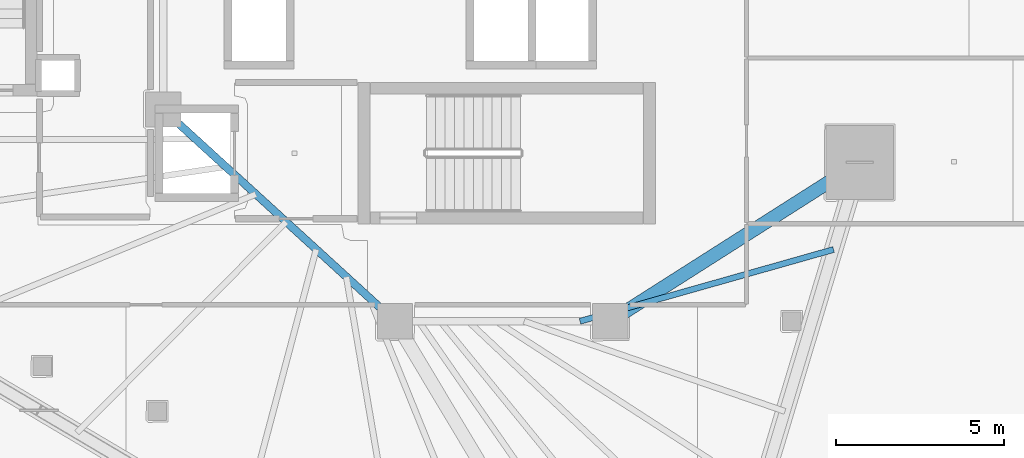
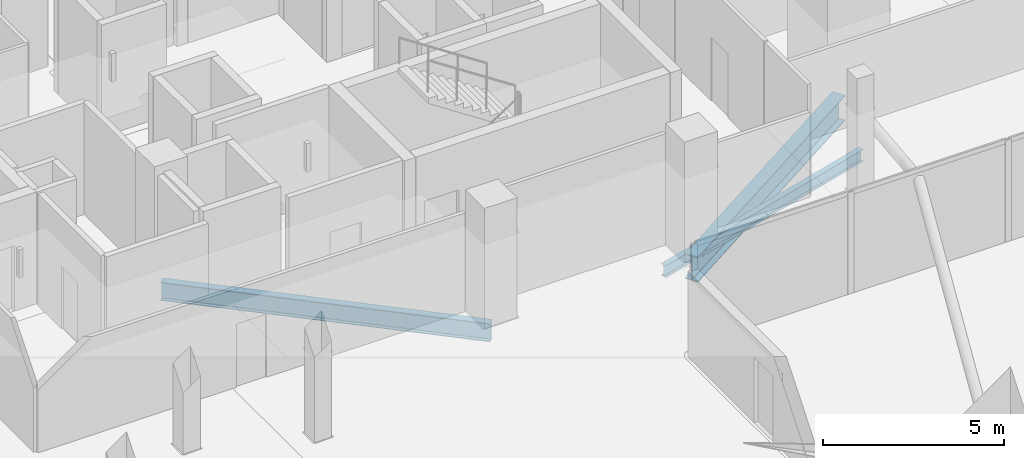
# One storey, part 14 of 43: 3 beams.
"""IFC4 building model written with IfcOpenShell, lengths in metres."""

from ifc_helpers import new_model, si_unit, direction, frame, origin, origin_2d, place, context, subcontext, project, spatial, i_section, extrude, material, material_profile, profile_set, type_object, element, save


model = new_model("IFC4")

# Units and contexts
model_context = context("Model", 3, precision=1e-05, world=origin(), true_north=direction((0.0, 1.0)))
body_context = subcontext(model_context, "Body", "Model", "MODEL_VIEW")
ifc_project = project(units=[si_unit("LENGTHUNIT", "METRE"), si_unit("AREAUNIT", "SQUARE_METRE"), si_unit("VOLUMEUNIT", "CUBIC_METRE"), si_unit("PLANEANGLEUNIT", "RADIAN"), si_unit("MASSUNIT", "GRAM", prefix="KILO")], contexts=[model_context])

# Site, building, storey
site_placement = place(None, origin())
site = spatial("IfcSite", under=ifc_project, at=site_placement, CompositionType="ELEMENT")
building_placement = place(site_placement, origin())
building = spatial("IfcBuilding", under=site, at=building_placement, Name="Qorvath Tower", CompositionType="ELEMENT")
storey_placement = place(building_placement, frame((0.0, 0.0, 150.300048828125)))
storey = spatial("IfcBuildingStorey", under=building, at=storey_placement, Name="L34", CompositionType="ELEMENT", Elevation=150.300048828125)

# Beams
ifc_material_1 = material(Name="Steel ASTM A992 Grade 50", Category="steel")
ifc_material_profile_1 = material_profile(ifc_material_1, i_section(OverallWidth=0.39892578125, OverallDepth=0.85498046875, WebThickness=0.018310546875, FlangeThickness=0.029296875, FilletRadius=0.02001953125, at=origin_2d()), Name="W33x201")
ifc_profile_set_1 = profile_set([ifc_material_profile_1], Name="Steel ASTM A992 Grade 50")
beam_type_1 = type_object("IfcBeamType", Name="BM-FG2", PredefinedType="BEAM", material=ifc_profile_set_1)
beam_1_placement = place(storey_placement, frame((-17.199951171875, -11.449951171875, -0.697509765625), z_axis=(0.843634090834, 0.536918542037, 0.0), x_axis=(-0.536918542037, 0.843634090834, 0.0)))
element("IfcBeam", 1, at=beam_1_placement, inside=storey, type_object=beam_type_1, Name="Radial Floor Girder CC3-MC4 L34", PredefinedType="BEAM", context=body_context, shape_type="SweptSolid", body=[
    extrude(i_section(OverallWidth=0.39892578125, OverallDepth=0.85498046875, WebThickness=0.018310546875, FlangeThickness=0.029296875, FilletRadius=0.02001953125, at=origin_2d()), origin(), (0.0, 0.0, 1.0), 8.806884765625),
])
ifc_material_2 = material(Name="Steel ASTM A992 Grade 50", Category="steel")
ifc_material_profile_2 = material_profile(ifc_material_2, i_section(OverallWidth=0.22998046875, OverallDepth=0.616943359375, WebThickness=0.01318359375, FlangeThickness=0.022216796875, FilletRadius=0.014892578125, at=origin_2d()), Name="W24x94")
ifc_profile_set_2 = profile_set([ifc_material_profile_2], Name="Steel ASTM A992 Grade 50")
beam_type_2 = type_object("IfcBeamType", Name="BM-FG6", PredefinedType="BEAM", material=ifc_profile_set_2)
beam_2_placement = place(storey_placement, frame((-23.60009765625, -11.449951171875, -0.57861328125), z_axis=(-0.73847813985, 0.6742774184, 0.0), x_axis=(-0.6742774184, -0.73847813985, 0.0)))
element("IfcBeam", 2, at=beam_2_placement, inside=storey, type_object=beam_type_2, Name="Core Ring Girder CC4-CC6 L34", PredefinedType="BEAM", context=body_context, shape_type="SweptSolid", body=[
    extrude(i_section(OverallWidth=0.22998046875, OverallDepth=0.616943359375, WebThickness=0.01318359375, FlangeThickness=0.022216796875, FilletRadius=0.014892578125, at=origin_2d()), origin(), (0.0, 0.0, 1.0), 9.343505859375),
])
ifc_material_3 = material(Name="Steel ASTM A992 Grade 50", Category="steel")
ifc_material_profile_3 = material_profile(ifc_material_3, i_section(OverallWidth=0.177978515625, OverallDepth=0.406005859375, WebThickness=0.0078125, FlangeThickness=0.0126953125, FilletRadius=0.010986328125, at=origin_2d()), Name="W16x40")
ifc_profile_set_3 = profile_set([ifc_material_profile_3], Name="Steel ASTM A992 Grade 50")
beam_type_3 = type_object("IfcBeamType", Name="BM-FJ3", PredefinedType="JOIST", material=ifc_profile_set_3)
beam_3_placement = place(storey_placement, frame((-18.095947265625, -11.449951171875, -0.47314453125), z_axis=(0.962222206221, 0.272265359264, 0.0), x_axis=(-0.272265359264, 0.962222206221, 0.0)))
element("IfcBeam", 3, at=beam_3_placement, inside=storey, type_object=beam_type_3, Name="Composite Floor Joist SE1 L34", PredefinedType="JOIST", context=body_context, shape_type="SweptSolid", body=[
    extrude(i_section(OverallWidth=0.177978515625, OverallDepth=0.406005859375, WebThickness=0.0078125, FlangeThickness=0.0126953125, FilletRadius=0.010986328125, at=origin_2d()), origin(), (0.0, 0.0, 1.0), 7.841552734375),
])

save(model, "model.ifc")
